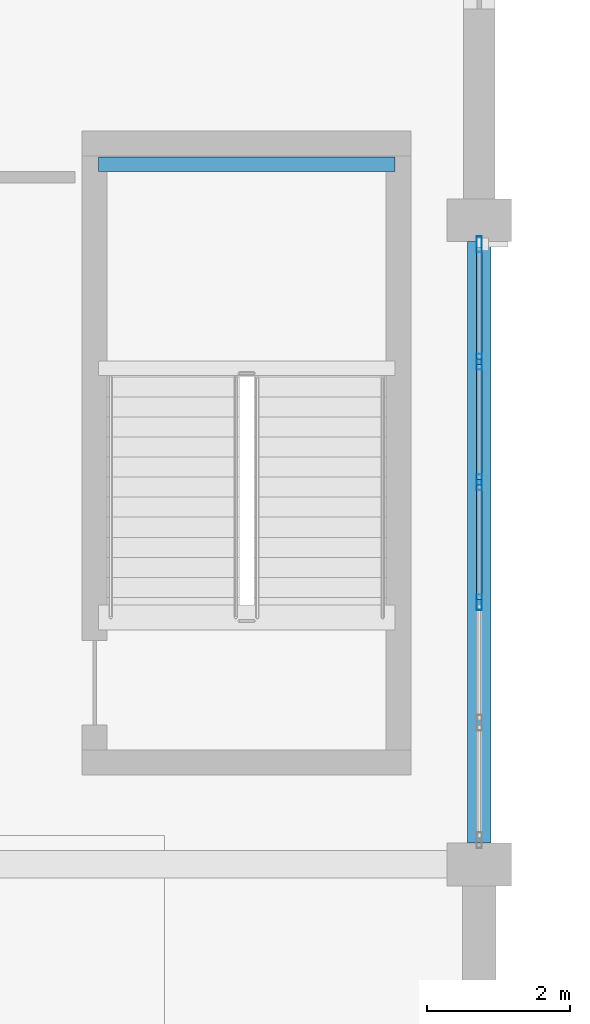
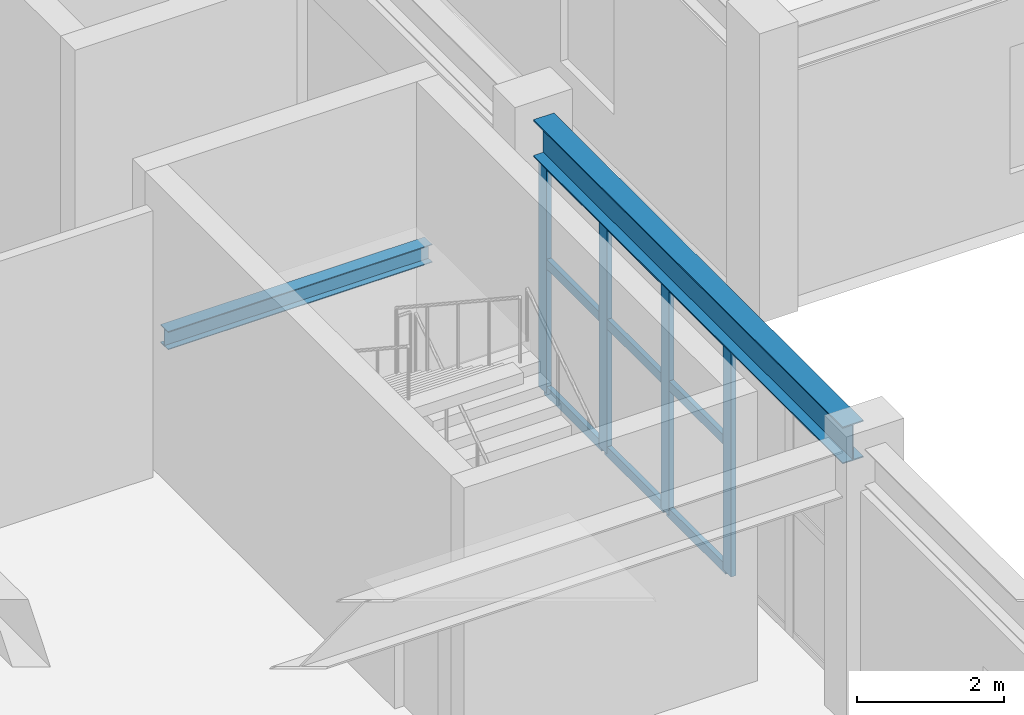
# One storey, part 26 of 96: 13 members, 2 beams, 1 element without a shape of its own.
"""IFC4 building model written with IfcOpenShell, lengths in metres."""

from ifc_helpers import new_model, si_unit, direction, frame, origin, origin_2d, place, context, subcontext, project, spatial, hollow_rectangle, i_section, extrude, material, layer, layer_set, material_profile, profile_set, type_object, element, aggregate, save


model = new_model("IFC4")

# Units and contexts
model_context = context("Model", 3, precision=1e-05, world=origin(), true_north=direction((0.0, 1.0)))
body_context = subcontext(model_context, "Body", "Model", "MODEL_VIEW")
ifc_project = project(units=[si_unit("LENGTHUNIT", "METRE"), si_unit("AREAUNIT", "SQUARE_METRE"), si_unit("VOLUMEUNIT", "CUBIC_METRE"), si_unit("PLANEANGLEUNIT", "RADIAN"), si_unit("MASSUNIT", "GRAM", prefix="KILO")], contexts=[model_context])

# Site, building, storey
site_placement = place(None, origin())
site = spatial("IfcSite", under=ifc_project, at=site_placement, CompositionType="ELEMENT")
building_placement = place(site_placement, origin())
building = spatial("IfcBuilding", under=site, at=building_placement, Name="Vaelkrest Opera House", CompositionType="ELEMENT")
storey_placement = place(building_placement, frame((0.0, 0.0, 5.39990234375)))
storey = spatial("IfcBuildingStorey", under=building, at=storey_placement, Name="L01", CompositionType="ELEMENT", Elevation=5.39990234375)

# Curtain wall, members
ifc_material_1 = material(Name="Dark bronze anodized aluminium", Category="aluminium")
ifc_layer = layer(ifc_material_1, 0.199951171875)
ifc_layer_set = layer_set([ifc_layer], Name="Dark bronze anodized aluminium")
curtain_wall_type = type_object("IfcCurtainWallType", Name="CW03", PredefinedType="NOTDEFINED", material=ifc_layer_set)
curtain_wall_placement = place(storey_placement, origin())
curtain_wall = element("IfcCurtainWall", 1, at=curtain_wall_placement, inside=storey, type_object=curtain_wall_type, Name="Curtain wall CW-L01-030", PredefinedType="NOTDEFINED")
ifc_material_profile_1 = material_profile(ifc_material_1, hollow_rectangle(XDim=0.074951171875, YDim=0.219970703125, WallThickness=0.00439453125, at=origin_2d()), Name="CWM75X220")
ifc_profile_set_1 = profile_set([ifc_material_profile_1], Name="Dark bronze anodized aluminium")
member_type_1 = type_object("IfcMemberType", Name="CWM03", PredefinedType="MULLION", material=ifc_profile_set_1)
member_1_placement = place(storey_placement, frame((30.0, -38.135498046875, 0.0), z_axis=(0.0, 0.0, 1.0), x_axis=(1.0, 0.0, 0.0)))
member_1 = element("IfcMember", 2, at=member_1_placement, type_object=member_type_1, Name="CW03 mullion 1", PredefinedType="MULLION", context=body_context, shape_type="SweptSolid", body=[
    extrude(hollow_rectangle(XDim=0.074951171875, YDim=0.219970703125, WallThickness=0.00439453125, at=origin_2d()), origin(), (0.0, 0.0, 1.0), 3.82421875),
])
member_2_placement = place(storey_placement, frame((30.0, -39.77880859375, 0.0), z_axis=(0.0, 0.0, 1.0), x_axis=(1.0, 0.0, 0.0)))
member_2 = element("IfcMember", 3, at=member_2_placement, type_object=member_type_1, Name="CW03 mullion 2", PredefinedType="MULLION", context=body_context, shape_type="SweptSolid", body=[
    extrude(hollow_rectangle(XDim=0.074951171875, YDim=0.219970703125, WallThickness=0.00439453125, at=origin_2d()), origin(), (0.0, 0.0, 1.0), 3.82421875),
])
member_3_placement = place(storey_placement, frame((30.0, -41.459716796875, 0.0), z_axis=(0.0, 0.0, 1.0), x_axis=(1.0, 0.0, 0.0)))
member_3 = element("IfcMember", 4, at=member_3_placement, type_object=member_type_1, Name="CW03 mullion 3", PredefinedType="MULLION", context=body_context, shape_type="SweptSolid", body=[
    extrude(hollow_rectangle(XDim=0.074951171875, YDim=0.219970703125, WallThickness=0.00439453125, at=origin_2d()), origin(), (0.0, 0.0, 1.0), 3.82421875),
])
member_4_placement = place(storey_placement, frame((30.0, -43.140380859375, 0.0), z_axis=(0.0, 0.0, 1.0), x_axis=(1.0, 0.0, 0.0)))
member_4 = element("IfcMember", 5, at=member_4_placement, type_object=member_type_1, Name="CW03 mullion 4", PredefinedType="MULLION", context=body_context, shape_type="SweptSolid", body=[
    extrude(hollow_rectangle(XDim=0.074951171875, YDim=0.219970703125, WallThickness=0.00439453125, at=origin_2d()), origin(), (0.0, 0.0, 1.0), 3.82421875),
])
ifc_material_profile_2 = material_profile(ifc_material_1, hollow_rectangle(XDim=0.074951171875, YDim=0.159912109375, WallThickness=0.00439453125, at=origin_2d()), Name="CWT75X160")
ifc_profile_set_2 = profile_set([ifc_material_profile_2], Name="Dark bronze anodized aluminium")
member_type_2 = type_object("IfcMemberType", Name="CWT03", PredefinedType="USERDEFINED", material=ifc_profile_set_2)
member_5_placement = place(storey_placement, frame((30.0, -38.173095703125, 0.03759765625), z_axis=(0.0, -1.0, 0.0), x_axis=(1.0, 0.0, 0.0)))
member_5 = element("IfcMember", 6, at=member_5_placement, type_object=member_type_2, Name="CW03 transom 1.1", ObjectType="TRANSOM", PredefinedType="USERDEFINED", context=body_context, shape_type="SweptSolid", body=[
    extrude(hollow_rectangle(XDim=0.074951171875, YDim=0.159912109375, WallThickness=0.00439453125, at=origin_2d()), origin(), (0.0, 0.0, 1.0), 1.568115234375),
])
member_6_placement = place(storey_placement, frame((30.0, -38.173095703125, 2.150146484375), z_axis=(0.0, -1.0, 0.0), x_axis=(1.0, 0.0, 0.0)))
member_6 = element("IfcMember", 7, at=member_6_placement, type_object=member_type_2, Name="CW03 transom 1.2", ObjectType="TRANSOM", PredefinedType="USERDEFINED", context=body_context, shape_type="SweptSolid", body=[
    extrude(hollow_rectangle(XDim=0.074951171875, YDim=0.159912109375, WallThickness=0.00439453125, at=origin_2d()), origin(), (0.0, 0.0, 1.0), 1.568115234375),
])
member_7_placement = place(storey_placement, frame((30.0, -38.173095703125, 3.78662109375), z_axis=(0.0, -1.0, 0.0), x_axis=(1.0, 0.0, 0.0)))
member_7 = element("IfcMember", 8, at=member_7_placement, type_object=member_type_2, Name="CW03 transom 1.3", ObjectType="TRANSOM", PredefinedType="USERDEFINED", context=body_context, shape_type="SweptSolid", body=[
    extrude(hollow_rectangle(XDim=0.074951171875, YDim=0.159912109375, WallThickness=0.00439453125, at=origin_2d()), origin(), (0.0, 0.0, 1.0), 1.568115234375),
])
member_8_placement = place(storey_placement, frame((30.0, -39.81640625, 0.03759765625), z_axis=(0.0, -1.0, 0.0), x_axis=(1.0, 0.0, 0.0)))
member_8 = element("IfcMember", 9, at=member_8_placement, type_object=member_type_2, Name="CW03 transom 2.1", ObjectType="TRANSOM", PredefinedType="USERDEFINED", context=body_context, shape_type="SweptSolid", body=[
    extrude(hollow_rectangle(XDim=0.074951171875, YDim=0.159912109375, WallThickness=0.00439453125, at=origin_2d()), origin(), (0.0, 0.0, 1.0), 1.605712890625),
])
member_9_placement = place(storey_placement, frame((30.0, -39.81640625, 2.150146484375), z_axis=(0.0, -1.0, 0.0), x_axis=(1.0, 0.0, 0.0)))
member_9 = element("IfcMember", 10, at=member_9_placement, type_object=member_type_2, Name="CW03 transom 2.2", ObjectType="TRANSOM", PredefinedType="USERDEFINED", context=body_context, shape_type="SweptSolid", body=[
    extrude(hollow_rectangle(XDim=0.074951171875, YDim=0.159912109375, WallThickness=0.00439453125, at=origin_2d()), origin(), (0.0, 0.0, 1.0), 1.605712890625),
])
member_10_placement = place(storey_placement, frame((30.0, -39.81640625, 3.78662109375), z_axis=(0.0, -1.0, 0.0), x_axis=(1.0, 0.0, 0.0)))
member_10 = element("IfcMember", 11, at=member_10_placement, type_object=member_type_2, Name="CW03 transom 2.3", ObjectType="TRANSOM", PredefinedType="USERDEFINED", context=body_context, shape_type="SweptSolid", body=[
    extrude(hollow_rectangle(XDim=0.074951171875, YDim=0.159912109375, WallThickness=0.00439453125, at=origin_2d()), origin(), (0.0, 0.0, 1.0), 1.605712890625),
])
member_11_placement = place(storey_placement, frame((30.0, -41.4970703125, 0.03759765625), z_axis=(0.0, -1.0, 0.0), x_axis=(1.0, 0.0, 0.0)))
member_11 = element("IfcMember", 12, at=member_11_placement, type_object=member_type_2, Name="CW03 transom 3.1", ObjectType="TRANSOM", PredefinedType="USERDEFINED", context=body_context, shape_type="SweptSolid", body=[
    extrude(hollow_rectangle(XDim=0.074951171875, YDim=0.159912109375, WallThickness=0.00439453125, at=origin_2d()), origin(), (0.0, 0.0, 1.0), 1.605712890625),
])
member_12_placement = place(storey_placement, frame((30.0, -41.4970703125, 2.150146484375), z_axis=(0.0, -1.0, 0.0), x_axis=(1.0, 0.0, 0.0)))
member_12 = element("IfcMember", 13, at=member_12_placement, type_object=member_type_2, Name="CW03 transom 3.2", ObjectType="TRANSOM", PredefinedType="USERDEFINED", context=body_context, shape_type="SweptSolid", body=[
    extrude(hollow_rectangle(XDim=0.074951171875, YDim=0.159912109375, WallThickness=0.00439453125, at=origin_2d()), origin(), (0.0, 0.0, 1.0), 1.605712890625),
])
member_13_placement = place(storey_placement, frame((30.0, -41.4970703125, 3.78662109375), z_axis=(0.0, -1.0, 0.0), x_axis=(1.0, 0.0, 0.0)))
member_13 = element("IfcMember", 14, at=member_13_placement, type_object=member_type_2, Name="CW03 transom 3.3", ObjectType="TRANSOM", PredefinedType="USERDEFINED", context=body_context, shape_type="SweptSolid", body=[
    extrude(hollow_rectangle(XDim=0.074951171875, YDim=0.159912109375, WallThickness=0.00439453125, at=origin_2d()), origin(), (0.0, 0.0, 1.0), 1.605712890625),
])
aggregate(curtain_wall, [member_1, member_2, member_3, member_4, member_5, member_6, member_7, member_8, member_9, member_10, member_11, member_12, member_13])

# Beams
ifc_material_2 = material(Name="Steel A992 Gr50", Category="steel")
ifc_material_profile_3 = material_profile(ifc_material_2, i_section(OverallWidth=0.202880859375, OverallDepth=0.302978515625, WebThickness=0.007568359375, FlangeThickness=0.01318359375, at=origin_2d()), Name="W12X40")
ifc_profile_set_3 = profile_set([ifc_material_profile_3], Name="Steel A992 Gr50")
beam_type_1 = type_object("IfcBeamType", Name="J02", PredefinedType="JOIST", material=ifc_profile_set_3)
beam_1_placement = place(storey_placement, frame((24.679931640625, -37.02001953125, 2.048583984375), z_axis=(1.0, 0.0, 0.0), x_axis=(0.0, 1.0, 0.0)))
element("IfcBeam", 15, at=beam_1_placement, inside=storey, type_object=beam_type_1, Name="Stair landing bearer beam ST04 L01-1F", PredefinedType="JOIST", context=body_context, shape_type="SweptSolid", body=[
    extrude(i_section(OverallWidth=0.202880859375, OverallDepth=0.302978515625, WebThickness=0.007568359375, FlangeThickness=0.01318359375, at=origin_2d()), origin(), (0.0, 0.0, 1.0), 4.14013671875),
])
ifc_material_profile_4 = material_profile(ifc_material_2, i_section(OverallWidth=0.323974609375, OverallDepth=0.611083984375, WebThickness=0.0126953125, FlangeThickness=0.01904296875, at=origin_2d()), Name="W24X104")
ifc_profile_set_4 = profile_set([ifc_material_profile_4], Name="Steel A992 Gr50")
beam_type_2 = type_object("IfcBeamType", Name="SP01", PredefinedType="SPANDREL", material=ifc_profile_set_4)
beam_2_placement = place(storey_placement, frame((30.0, -46.5, 4.194580078125), z_axis=(0.0, 1.0, 0.0), x_axis=(-1.0, 0.0, 0.0)))
element("IfcBeam", 16, at=beam_2_placement, inside=storey, type_object=beam_type_2, Name="Beam BM-V1-L01-0292", PredefinedType="SPANDREL", context=body_context, shape_type="SweptSolid", body=[
    extrude(i_section(OverallWidth=0.323974609375, OverallDepth=0.611083984375, WebThickness=0.0126953125, FlangeThickness=0.01904296875, at=origin_2d()), origin(), (0.0, 0.0, 1.0), 8.39990234375),
])

save(model, "model.ifc")
